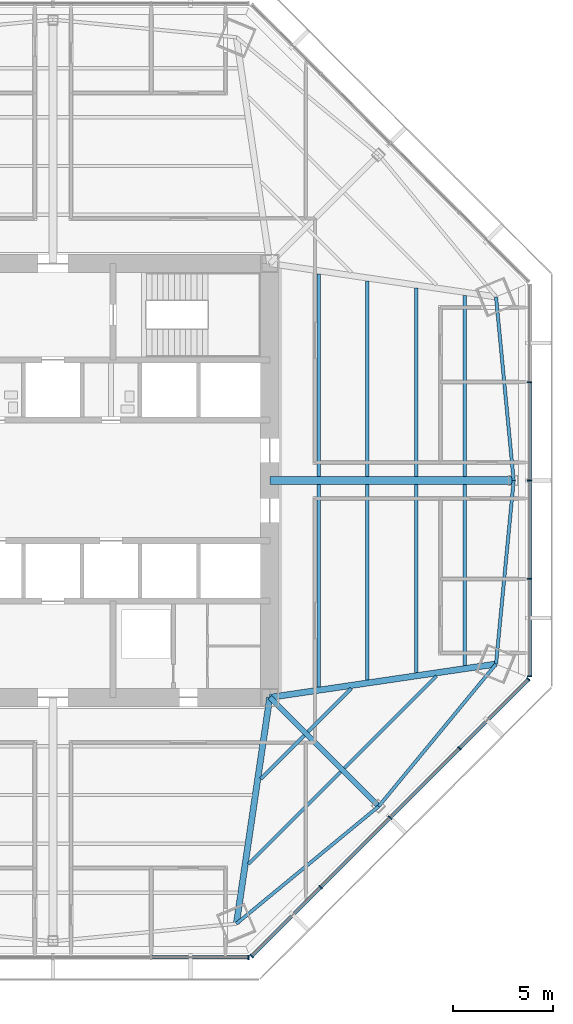
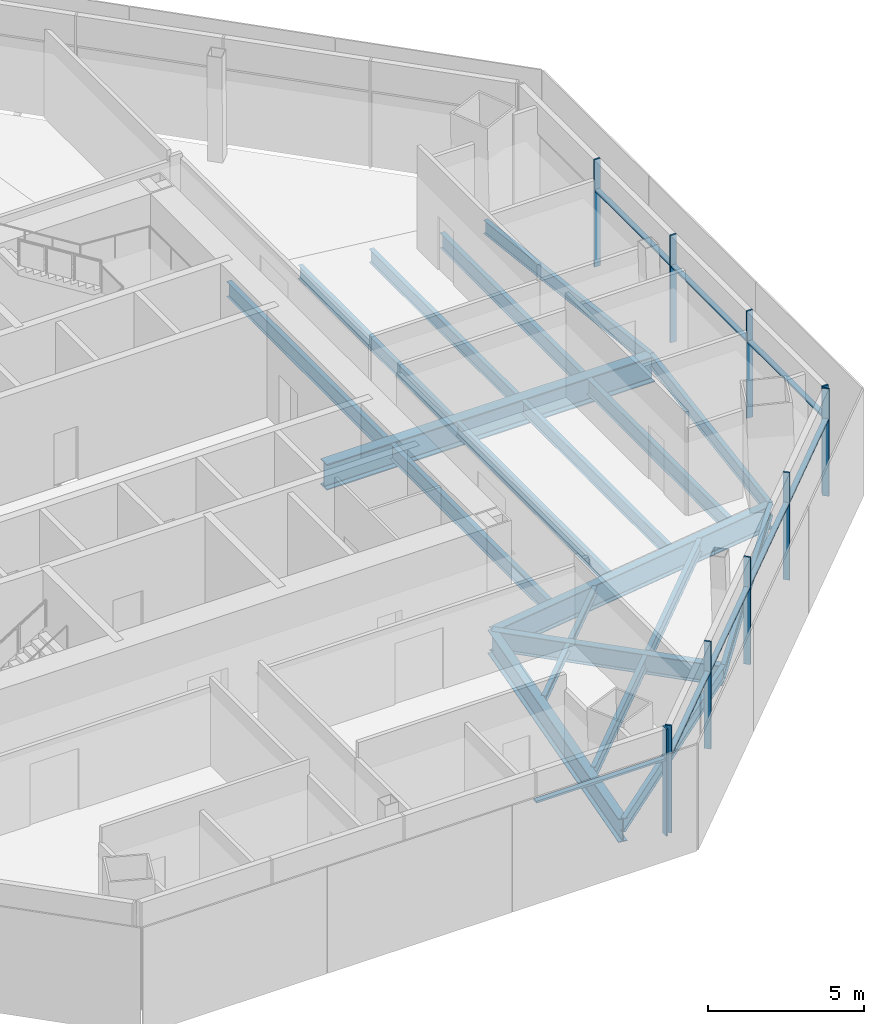
# One storey, part 4 of 15: 20 beams, 18 members, 3 elements without a shape of their own.
"""IFC4 building model written with IfcOpenShell, lengths in metres."""

from ifc_helpers import new_model, si_unit, direction, frame, origin, origin_2d, place, context, subcontext, project, spatial, rectangle, i_section, extrude, source, transform, mapped, material, material_profile, profile_set, type_object, type_shapes, element, aggregate, save


model = new_model("IFC4")

# Units and contexts
model_context = context("Model", 3, precision=1e-05, world=origin(), true_north=direction((0.0, 1.0)))
body_context = subcontext(model_context, "Body", "Model", "MODEL_VIEW")
ifc_project = project(units=[si_unit("LENGTHUNIT", "METRE"), si_unit("AREAUNIT", "SQUARE_METRE"), si_unit("VOLUMEUNIT", "CUBIC_METRE"), si_unit("PLANEANGLEUNIT", "RADIAN"), si_unit("MASSUNIT", "GRAM", prefix="KILO")], contexts=[model_context])

# Site, building, storey
site_placement = place(None, origin())
site = spatial("IfcSite", under=ifc_project, at=site_placement, CompositionType="ELEMENT")
building_placement = place(site_placement, origin())
building = spatial("IfcBuilding", under=site, at=building_placement, Name="Mashrafa Tower", CompositionType="ELEMENT")
storey_placement = place(building_placement, frame((0.0, 0.0, 151.199951171875)))
storey = spatial("IfcBuildingStorey", under=building, at=storey_placement, Name="L34", CompositionType="ELEMENT", Elevation=151.199951171875)

# Beams
ifc_material_1 = material(Name="Steel ASTM A992", Category="steel")
ifc_material_profile_1 = material_profile(ifc_material_1, i_section(OverallWidth=0.164794921875, OverallDepth=0.309814453125, WebThickness=0.005859375, FlangeThickness=0.009765625, FilletRadius=0.007568359375, at=origin_2d()), Name="W12X26")
ifc_profile_set_1 = profile_set([ifc_material_profile_1], Name="Steel ASTM A992")
beam_type_1 = type_object("IfcBeamType", Name="Beam W12X26", PredefinedType="BEAM", material=ifc_profile_set_1)
for number, where, z_axis, x_axis, name in (
    (1, (12.51318359375, -12.701904296875, -0.31982421875), (-0.707146813274, -0.707066746832, 0.0), (0.707066746832, -0.707146813274, 0.0), "Floor beam L34 035"),
    (2, (14.85791015625, -10.35693359375, -0.31982421875), (-0.707066746832, -0.707146813274, 0.0), (0.707146813274, -0.707066746832, 0.0), "Floor beam L34 041"),
):
    element("IfcBeam", number, at=place(storey_placement, frame(where, z_axis=z_axis, x_axis=x_axis)), inside=storey, type_object=beam_type_1, Name=name, PredefinedType="BEAM", context=body_context, shape_type="SweptSolid", body=[
        extrude(i_section(OverallWidth=0.164794921875, OverallDepth=0.309814453125, WebThickness=0.005859375, FlangeThickness=0.009765625, FilletRadius=0.007568359375, at=origin_2d()), origin(), (0.0, 0.0, 1.0), 3.04931640625),
    ])
ifc_material_2 = material(Name="Steel ASTM A992", Category="steel")
ifc_material_profile_2 = material_profile(ifc_material_2, i_section(OverallWidth=0.1650390625, OverallDepth=0.52587890625, WebThickness=0.0087890625, FlangeThickness=0.011474609375, FilletRadius=0.0126953125, at=origin_2d()), Name="W21X44")
ifc_profile_set_2 = profile_set([ifc_material_profile_2], Name="Steel ASTM A992")
beam_type_2 = type_object("IfcBeamType", Name="Beam W21X44", PredefinedType="BEAM", material=ifc_profile_set_2)
beam_1_placement = place(storey_placement, frame((14.32080078125, -14.50927734375, -0.427734375), z_axis=(-0.70712559047, -0.707087971403, 0.0), x_axis=(0.707087971403, -0.70712559047, 0.0)))
element("IfcBeam", 3, at=beam_1_placement, inside=storey, type_object=beam_type_2, Name="Floor beam L34 039", PredefinedType="BEAM", context=body_context, shape_type="SweptSolid", body=[
    extrude(i_section(OverallWidth=0.1650390625, OverallDepth=0.52587890625, WebThickness=0.0087890625, FlangeThickness=0.011474609375, FilletRadius=0.0126953125, at=origin_2d()), origin(), (0.0, 0.0, 1.0), 6.48974609375),
])
for number, where, z_axis, x_axis, name in (
    (4, (15.656982421875, -0.20068359375, -0.427734375), (0.0, -1.0, 0.0), (1.0, 0.0, 0.0), "Floor beam L34 042"),
    (5, (15.656982421875, 9.9287109375, -0.427734375), (0.0, -1.0, 0.0), (1.0, 0.0, 0.0), "Floor beam L34 043"),
):
    element("IfcBeam", number, at=place(storey_placement, frame(where, z_axis=z_axis, x_axis=x_axis)), inside=storey, type_object=beam_type_2, Name=name, PredefinedType="BEAM", context=body_context, shape_type="SweptSolid", body=[
        extrude(i_section(OverallWidth=0.1650390625, OverallDepth=0.52587890625, WebThickness=0.0087890625, FlangeThickness=0.011474609375, FilletRadius=0.0126953125, at=origin_2d()), origin(), (0.0, 0.0, 1.0), 9.72802734375),
    ])
for number, where, z_axis, x_axis, name in (
    (6, (18.085205078125, -0.20068359375, -0.427734375), (0.0, -1.0, 0.0), (1.0, 0.0, 0.0), "Floor beam L34 044"),
    (7, (18.085205078125, 9.570556640625, -0.427734375), (0.0, -1.0, 0.0), (1.0, 0.0, 0.0), "Floor beam L34 045"),
):
    element("IfcBeam", number, at=place(storey_placement, frame(where, z_axis=z_axis, x_axis=x_axis)), inside=storey, type_object=beam_type_2, Name=name, PredefinedType="BEAM", context=body_context, shape_type="SweptSolid", body=[
        extrude(i_section(OverallWidth=0.1650390625, OverallDepth=0.52587890625, WebThickness=0.0087890625, FlangeThickness=0.011474609375, FilletRadius=0.0126953125, at=origin_2d()), origin(), (0.0, 0.0, 1.0), 9.369873046875),
    ])
beam_2_placement = place(storey_placement, frame((19.09814453125, -9.731689453125, -0.427734375), z_axis=(-0.707087971403, -0.70712559047, 0.0), x_axis=(0.70712559047, -0.707087971403, 0.0)))
element("IfcBeam", 8, at=beam_2_placement, inside=storey, type_object=beam_type_2, Name="Floor beam L34 046", PredefinedType="BEAM", context=body_context, shape_type="SweptSolid", body=[
    extrude(i_section(OverallWidth=0.1650390625, OverallDepth=0.52587890625, WebThickness=0.0087890625, FlangeThickness=0.011474609375, FilletRadius=0.0126953125, at=origin_2d()), origin(), (0.0, 0.0, 1.0), 6.48974609375),
])
for number, where, z_axis, x_axis, name in (
    (9, (9.13916015625, -22.06396484375, -0.427734375), (0.771487155934, 0.636244896427, 0.0), (-0.636244896427, 0.771487155934, 0.0), "Spandrel beam L34 074"),
    (10, (16.222412109375, -16.222412109375, -0.427734375), (0.636244896427, 0.771487155934, 0.0), (-0.771487155934, 0.636244896427, 0.0), "Spandrel beam L34 076"),
):
    element("IfcBeam", number, at=place(storey_placement, frame(where, z_axis=z_axis, x_axis=x_axis)), inside=storey, type_object=beam_type_2, Name=name, PredefinedType="BEAM", context=body_context, shape_type="SweptSolid", body=[
        extrude(i_section(OverallWidth=0.1650390625, OverallDepth=0.52587890625, WebThickness=0.0087890625, FlangeThickness=0.011474609375, FilletRadius=0.0126953125, at=origin_2d()), origin(), (0.0, 0.0, 1.0), 9.181396484375),
    ])
for number, where, z_axis, x_axis, name in (
    (11, (22.06396484375, -9.13916015625, -0.427734375), (0.09564856417, 0.995415165733, 0.0), (-0.995415165733, 0.09564856417, 0.0), "Spandrel beam L34 078"),
    (12, (22.942138671875, 0.0, -0.427734375), (-0.09564856417, 0.995415165733, 0.0), (-0.995415165733, -0.09564856417, 0.0), "Spandrel beam L34 080"),
):
    element("IfcBeam", number, at=place(storey_placement, frame(where, z_axis=z_axis, x_axis=x_axis)), inside=storey, type_object=beam_type_2, Name=name, PredefinedType="BEAM", context=body_context, shape_type="SweptSolid", body=[
        extrude(i_section(OverallWidth=0.1650390625, OverallDepth=0.52587890625, WebThickness=0.0087890625, FlangeThickness=0.011474609375, FilletRadius=0.0126953125, at=origin_2d()), origin(), (0.0, 0.0, 1.0), 9.18115234375),
    ])
ifc_material_3 = material(Name="Steel ASTM A992", Category="steel")
ifc_material_profile_3 = material_profile(ifc_material_3, i_section(OverallWidth=0.177978515625, OverallDepth=0.599365234375, WebThickness=0.010009765625, FlangeThickness=0.012939453125, FilletRadius=0.012939453125, at=origin_2d()), Name="W24X55")
ifc_profile_set_3 = profile_set([ifc_material_profile_3], Name="Steel ASTM A992")
beam_type_3 = type_object("IfcBeamType", Name="Beam W24X55", PredefinedType="BEAM", material=ifc_profile_set_3)
for number, where, z_axis, x_axis, name in (
    (13, (13.228515625, -0.20068359375, -0.464599609375), (0.0, -1.0, 0.0), (1.0, 0.0, 0.0), "Floor beam L34 037"),
    (14, (13.228515625, 10.28662109375, -0.464599609375), (0.0, -1.0, 0.0), (1.0, 0.0, 0.0), "Floor beam L34 038"),
):
    element("IfcBeam", number, at=place(storey_placement, frame(where, z_axis=z_axis, x_axis=x_axis)), inside=storey, type_object=beam_type_3, Name=name, PredefinedType="BEAM", context=body_context, shape_type="SweptSolid", body=[
        extrude(i_section(OverallWidth=0.177978515625, OverallDepth=0.599365234375, WebThickness=0.010009765625, FlangeThickness=0.012939453125, FilletRadius=0.012939453125, at=origin_2d()), origin(), (0.0, 0.0, 1.0), 10.0859375),
    ])
for number, where, z_axis, x_axis, name in (
    (15, (20.513916015625, -0.20068359375, -0.464599609375), (0.0, -1.0, 0.0), (1.0, 0.0, 0.0), "Floor beam L34 047"),
    (16, (20.513916015625, 9.21240234375, -0.464599609375), (0.0, -1.0, 0.0), (1.0, 0.0, 0.0), "Floor beam L34 048"),
):
    element("IfcBeam", number, at=place(storey_placement, frame(where, z_axis=z_axis, x_axis=x_axis)), inside=storey, type_object=beam_type_3, Name=name, PredefinedType="BEAM", context=body_context, shape_type="SweptSolid", body=[
        extrude(i_section(OverallWidth=0.177978515625, OverallDepth=0.599365234375, WebThickness=0.010009765625, FlangeThickness=0.012939453125, FilletRadius=0.012939453125, at=origin_2d()), origin(), (0.0, 0.0, 1.0), 9.01171875),
    ])
ifc_material_4 = material(Name="Steel ASTM A992", Category="steel")
ifc_material_profile_4 = material_profile(ifc_material_4, i_section(OverallWidth=0.2666015625, OverallDepth=0.761962890625, WebThickness=0.014404296875, FlangeThickness=0.021484375, FilletRadius=0.0166015625, at=origin_2d()), Name="W30X116")
ifc_profile_set_4 = profile_set([ifc_material_profile_4], Name="Steel ASTM A992")
beam_type_4 = type_object("IfcBeamType", Name="Beam W30X116", PredefinedType="BEAM", material=ifc_profile_set_4)
beam_3_placement = place(storey_placement, frame((10.800048828125, -10.800048828125, -0.5458984375), z_axis=(0.707106781187, -0.707106781187, 0.0), x_axis=(0.707106781187, 0.707106781187, 0.0)))
element("IfcBeam", 17, at=beam_3_placement, inside=storey, type_object=beam_type_4, Name="Radial girder L34 059", PredefinedType="BEAM", context=body_context, shape_type="SweptSolid", body=[
    extrude(i_section(OverallWidth=0.2666015625, OverallDepth=0.761962890625, WebThickness=0.014404296875, FlangeThickness=0.021484375, FilletRadius=0.0166015625, at=origin_2d()), origin(), (0.0, 0.0, 1.0), 7.66845703125),
])
ifc_material_5 = material(Name="Steel ASTM A992", Category="steel")
ifc_material_profile_5 = material_profile(ifc_material_5, i_section(OverallWidth=0.307373046875, OverallDepth=0.927001953125, WebThickness=0.01953125, FlangeThickness=0.031982421875, FilletRadius=0.01904296875, at=origin_2d()), Name="W36X194")
ifc_profile_set_5 = profile_set([ifc_material_profile_5], Name="Steel ASTM A992")
beam_type_5 = type_object("IfcBeamType", Name="Beam W36X194", PredefinedType="BEAM", material=ifc_profile_set_5)
for number, where, z_axis, x_axis, name in (
    (18, (10.800048828125, -10.800048828125, -0.62841796875), (-0.145874864985, -0.989303049508, 0.0), (0.989303049508, -0.145874864985, 0.0), "Radial girder L34 058"),
    (19, (10.800048828125, -10.800048828125, -0.62841796875), (0.989303049508, 0.145874864985, 0.0), (-0.145874864985, 0.989303049508, 0.0), "Radial girder L34 060"),
):
    element("IfcBeam", number, at=place(storey_placement, frame(where, z_axis=z_axis, x_axis=x_axis)), inside=storey, type_object=beam_type_5, Name=name, PredefinedType="BEAM", context=body_context, shape_type="SweptSolid", body=[
        extrude(i_section(OverallWidth=0.307373046875, OverallDepth=0.927001953125, WebThickness=0.01953125, FlangeThickness=0.031982421875, FilletRadius=0.01904296875, at=origin_2d()), origin(), (0.0, 0.0, 1.0), 11.3857421875),
    ])
ifc_material_6 = material(Name="Steel ASTM A992", Category="steel")
ifc_material_profile_6 = material_profile(ifc_material_6, i_section(OverallWidth=0.4013671875, OverallDepth=1.010986328125, WebThickness=0.023681640625, FlangeThickness=0.0419921875, FilletRadius=0.02001953125, at=origin_2d()), Name="W40X297")
ifc_profile_set_6 = profile_set([ifc_material_profile_6], Name="Steel ASTM A992")
beam_type_6 = type_object("IfcBeamType", Name="Beam W40X297", PredefinedType="BEAM", material=ifc_profile_set_6)
beam_4_placement = place(storey_placement, frame((10.800048828125, 0.0, -0.67041015625), z_axis=(1.0, 0.0, 0.0), x_axis=(0.0, 1.0, 0.0)))
element("IfcBeam", 20, at=beam_4_placement, inside=storey, type_object=beam_type_6, Name="Radial girder L34 061", PredefinedType="BEAM", context=body_context, shape_type="SweptSolid", body=[
    extrude(i_section(OverallWidth=0.4013671875, OverallDepth=1.010986328125, WebThickness=0.023681640625, FlangeThickness=0.0419921875, FilletRadius=0.02001953125, at=origin_2d()), origin(), (0.0, 0.0, 1.0), 12.14208984375),
])

# Curtain wall, members
ifc_material_7 = material(Name="Unitised aluminium curtain wall", Category="aluminium")
curtain_wall_type = type_object("IfcCurtainWallType", Name="Office curtain wall, zone 2 CW-B 225 deep", PredefinedType="NOTDEFINED", material=ifc_material_7)
curtain_wall_1_placement = place(storey_placement, origin())
curtain_wall_1 = element("IfcCurtainWall", 21, at=curtain_wall_1_placement, inside=storey, type_object=curtain_wall_type, Name="Office curtain wall, zone 2 L34 east", PredefinedType="NOTDEFINED")
ifc_material_8 = material(Name="Extruded aluminium mullion", Category="aluminium")
ifc_material_profile_7 = material_profile(ifc_material_8, rectangle(XDim=0.22509765625, YDim=0.06494140625, at=origin_2d()), Name="Mullion 65x225")
ifc_profile_set_7 = profile_set([ifc_material_profile_7], Name="Extruded aluminium mullion")
member_type_1 = type_object("IfcMemberType", Name="Mullion CW-B 65 x 225", PredefinedType="MULLION", material=ifc_profile_set_7)
shared_shape_1 = source(origin(), body_context, "Body", "SweptSolid", [
    extrude(rectangle(XDim=0.22509765625, YDim=0.06494140625, at=origin_2d()), origin(), (0.0, 0.0, 1.0), 4.199951171875),
])
type_shapes(member_type_1, [shared_shape_1])
member_1_placement = place(storey_placement, frame((23.737548828125, -9.743408203125, 0.0), z_axis=(0.0, 0.0, 1.0), x_axis=(-1.0, 0.0, 0.0)))
member_1 = element("IfcMember", 22, at=member_1_placement, type_object=member_type_1, Name="CW-B mullion 1", PredefinedType="MULLION", context=body_context, shape_type="MappedRepresentation", body=[
    mapped(shared_shape_1, transform((0.0, 0.0, 0.0))),
])
member_2_placement = place(storey_placement, frame((23.737548828125, -4.887939453125, 0.0), z_axis=(0.0, 0.0, 1.0), x_axis=(-1.0, 0.0, 0.0)))
member_2 = element("IfcMember", 23, at=member_2_placement, type_object=member_type_1, Name="CW-B mullion 2", PredefinedType="MULLION", context=body_context, shape_type="MappedRepresentation", body=[
    mapped(shared_shape_1, transform((0.0, 0.0, 0.0))),
])
member_3_placement = place(storey_placement, frame((23.737548828125, 0.0, 0.0), z_axis=(0.0, 0.0, 1.0), x_axis=(-1.0, 0.0, 0.0)))
member_3 = element("IfcMember", 24, at=member_3_placement, type_object=member_type_1, Name="CW-B mullion 3", PredefinedType="MULLION", context=body_context, shape_type="MappedRepresentation", body=[
    mapped(shared_shape_1, transform((0.0, 0.0, 0.0))),
])
member_4_placement = place(storey_placement, frame((23.737548828125, 4.887939453125, 0.0), z_axis=(0.0, 0.0, 1.0), x_axis=(-1.0, 0.0, 0.0)))
member_4 = element("IfcMember", 25, at=member_4_placement, type_object=member_type_1, Name="CW-B mullion 4", PredefinedType="MULLION", context=body_context, shape_type="MappedRepresentation", body=[
    mapped(shared_shape_1, transform((0.0, 0.0, 0.0))),
])

# Curtain wall, member
curtain_wall_2_placement = place(storey_placement, origin())
curtain_wall_2 = element("IfcCurtainWall", 26, at=curtain_wall_2_placement, inside=storey, type_object=curtain_wall_type, Name="Office curtain wall, zone 2 L34 south", PredefinedType="NOTDEFINED")
member_5_placement = place(storey_placement, frame((9.743408203125, -23.737548828125, 0.0), z_axis=(0.0, 0.0, 1.0), x_axis=(0.0, 1.0, 0.0)))
member_5 = element("IfcMember", 27, at=member_5_placement, type_object=member_type_1, Name="CW-B mullion 5", PredefinedType="MULLION", context=body_context, shape_type="MappedRepresentation", body=[
    mapped(shared_shape_1, transform((0.0, 0.0, 0.0))),
])

# Curtain wall, members
curtain_wall_3_placement = place(storey_placement, origin())
curtain_wall_3 = element("IfcCurtainWall", 28, at=curtain_wall_3_placement, inside=storey, type_object=curtain_wall_type, Name="Office curtain wall, zone 2 L34 south-east", PredefinedType="NOTDEFINED")
member_6_placement = place(storey_placement, frame((9.8955078125, -23.674560546875, 0.0), z_axis=(0.0, 0.0, 1.0), x_axis=(-0.707106781187, 0.707106781187, 0.0)))
member_6 = element("IfcMember", 29, at=member_6_placement, type_object=member_type_1, Name="CW-B mullion 1", PredefinedType="MULLION", context=body_context, shape_type="MappedRepresentation", body=[
    mapped(shared_shape_1, transform((0.0, 0.0, 0.0))),
])
member_7_placement = place(storey_placement, frame((13.32861328125, -20.2412109375, 0.0), z_axis=(0.0, 0.0, 1.0), x_axis=(-0.707106781187, 0.707106781187, 0.0)))
member_7 = element("IfcMember", 30, at=member_7_placement, type_object=member_type_1, Name="CW-B mullion 2", PredefinedType="MULLION", context=body_context, shape_type="MappedRepresentation", body=[
    mapped(shared_shape_1, transform((0.0, 0.0, 0.0))),
])
member_8_placement = place(storey_placement, frame((16.784912109375, -16.784912109375, 0.0), z_axis=(0.0, 0.0, 1.0), x_axis=(-0.707106781187, 0.707106781187, 0.0)))
member_8 = element("IfcMember", 31, at=member_8_placement, type_object=member_type_1, Name="CW-B mullion 3", PredefinedType="MULLION", context=body_context, shape_type="MappedRepresentation", body=[
    mapped(shared_shape_1, transform((0.0, 0.0, 0.0))),
])
member_9_placement = place(storey_placement, frame((20.2412109375, -13.32861328125, 0.0), z_axis=(0.0, 0.0, 1.0), x_axis=(-0.707106781187, 0.707106781187, 0.0)))
member_9 = element("IfcMember", 32, at=member_9_placement, type_object=member_type_1, Name="CW-B mullion 4", PredefinedType="MULLION", context=body_context, shape_type="MappedRepresentation", body=[
    mapped(shared_shape_1, transform((0.0, 0.0, 0.0))),
])
member_10_placement = place(storey_placement, frame((23.674560546875, -9.8955078125, 0.0), z_axis=(0.0, 0.0, 1.0), x_axis=(-0.707106781187, 0.707106781187, 0.0)))
member_10 = element("IfcMember", 33, at=member_10_placement, type_object=member_type_1, Name="CW-B mullion 5", PredefinedType="MULLION", context=body_context, shape_type="MappedRepresentation", body=[
    mapped(shared_shape_1, transform((0.0, 0.0, 0.0))),
])

# Member
ifc_material_9 = material(Name="Extruded aluminium transom", Category="aluminium")
ifc_material_profile_8 = material_profile(ifc_material_9, rectangle(XDim=0.179931640625, YDim=0.080078125, at=origin_2d()), Name="Transom 80x180")
ifc_profile_set_8 = profile_set([ifc_material_profile_8], Name="Extruded aluminium transom")
member_type_2 = type_object("IfcMemberType", Name="Transom CW-B 80 x 180", PredefinedType="MULLION", material=ifc_profile_set_8)
shared_shape_2 = source(origin(), body_context, "Body", "SweptSolid", [
    extrude(rectangle(XDim=0.179931640625, YDim=0.080078125, at=origin_2d()), origin(), (0.0, 0.0, 1.0), 4.790283203125),
])
member_11_placement = place(storey_placement, frame((23.737548828125, -9.710693359375, 3.0), z_axis=(0.0, 1.0, 0.0), x_axis=(-1.0, 0.0, 0.0)))
member_11 = element("IfcMember", 34, at=member_11_placement, type_object=member_type_2, Name="CW-B transom 1", PredefinedType="MULLION", context=body_context, shape_type="MappedRepresentation", body=[
    mapped(shared_shape_2, transform((0.0, 0.0, 0.0))),
])

member_12_placement = place(storey_placement, frame((4.92041015625, -23.737548828125, 3.0), z_axis=(1.0, 0.0, 0.0), x_axis=(0.0, 1.0, 0.0)))
member_12 = element("IfcMember", 35, at=member_12_placement, type_object=member_type_2, Name="CW-B transom 4", PredefinedType="MULLION", context=body_context, shape_type="MappedRepresentation", body=[
    mapped(shared_shape_2, transform((0.0, 0.0, 0.0))),
])

aggregate(curtain_wall_2, [member_5, member_12])

shared_shape_3 = source(origin(), body_context, "Body", "SweptSolid", [
    extrude(rectangle(XDim=0.179931640625, YDim=0.080078125, at=origin_2d()), origin(), (0.0, 0.0, 1.0), 4.822998046875),
])
member_13_placement = place(storey_placement, frame((23.737548828125, -4.85546875, 3.0), z_axis=(0.0, 1.0, 0.0), x_axis=(-1.0, 0.0, 0.0)))
member_13 = element("IfcMember", 36, at=member_13_placement, type_object=member_type_2, Name="CW-B transom 2", PredefinedType="MULLION", context=body_context, shape_type="MappedRepresentation", body=[
    mapped(shared_shape_3, transform((0.0, 0.0, 0.0))),
])

member_14_placement = place(storey_placement, frame((23.737548828125, 0.032470703125, 3.0), z_axis=(0.0, 1.0, 0.0), x_axis=(-1.0, 0.0, 0.0)))
member_14 = element("IfcMember", 37, at=member_14_placement, type_object=member_type_2, Name="CW-B transom 3", PredefinedType="MULLION", context=body_context, shape_type="MappedRepresentation", body=[
    mapped(shared_shape_3, transform((0.0, 0.0, 0.0))),
])

aggregate(curtain_wall_1, [member_1, member_2, member_3, member_4, member_11, member_13, member_14])

member_15_placement = place(storey_placement, frame((13.3515625, -20.21826171875, 3.0), z_axis=(0.707106781187, 0.707106781187, 0.0), x_axis=(-0.707106781187, 0.707106781187, 0.0)))
member_15 = element("IfcMember", 38, at=member_15_placement, type_object=member_type_2, Name="CW-B transom 2", PredefinedType="MULLION", context=body_context, shape_type="MappedRepresentation", body=[
    mapped(shared_shape_3, transform((0.0, 0.0, 0.0))),
])

member_16_placement = place(storey_placement, frame((16.807861328125, -16.761962890625, 3.0), z_axis=(0.707106781187, 0.707106781187, 0.0), x_axis=(-0.707106781187, 0.707106781187, 0.0)))
member_16 = element("IfcMember", 39, at=member_16_placement, type_object=member_type_2, Name="CW-B transom 3", PredefinedType="MULLION", context=body_context, shape_type="MappedRepresentation", body=[
    mapped(shared_shape_3, transform((0.0, 0.0, 0.0))),
])

shared_shape_4 = source(origin(), body_context, "Body", "SweptSolid", [
    extrude(rectangle(XDim=0.179931640625, YDim=0.080078125, at=origin_2d()), origin(), (0.0, 0.0, 1.0), 4.79052734375),
])
type_shapes(member_type_2, [shared_shape_2, shared_shape_3, shared_shape_4])
member_17_placement = place(storey_placement, frame((9.91845703125, -23.651611328125, 3.0), z_axis=(0.707081298484, 0.707132262971, 0.0), x_axis=(-0.707132262971, 0.707081298484, 0.0)))
member_17 = element("IfcMember", 40, at=member_17_placement, type_object=member_type_2, Name="CW-B transom 1", PredefinedType="MULLION", context=body_context, shape_type="MappedRepresentation", body=[
    mapped(shared_shape_4, transform((0.0, 0.0, 0.0))),
])

member_18_placement = place(storey_placement, frame((20.26416015625, -13.3056640625, 3.0), z_axis=(0.707132262971, 0.707081298484, 0.0), x_axis=(-0.707081298484, 0.707132262971, 0.0)))
member_18 = element("IfcMember", 41, at=member_18_placement, type_object=member_type_2, Name="CW-B transom 4", PredefinedType="MULLION", context=body_context, shape_type="MappedRepresentation", body=[
    mapped(shared_shape_4, transform((0.0, 0.0, 0.0))),
])

aggregate(curtain_wall_3, [member_6, member_7, member_8, member_9, member_10, member_17, member_15, member_16, member_18])

save(model, "model.ifc")
